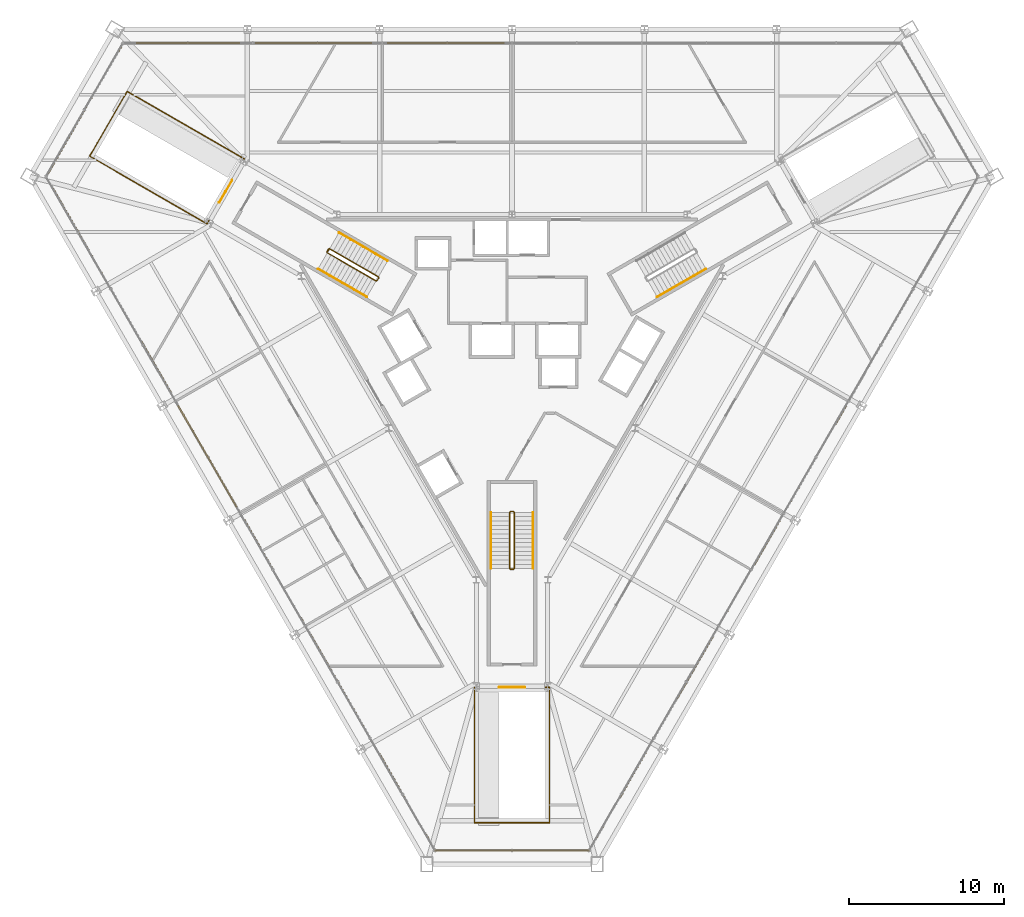
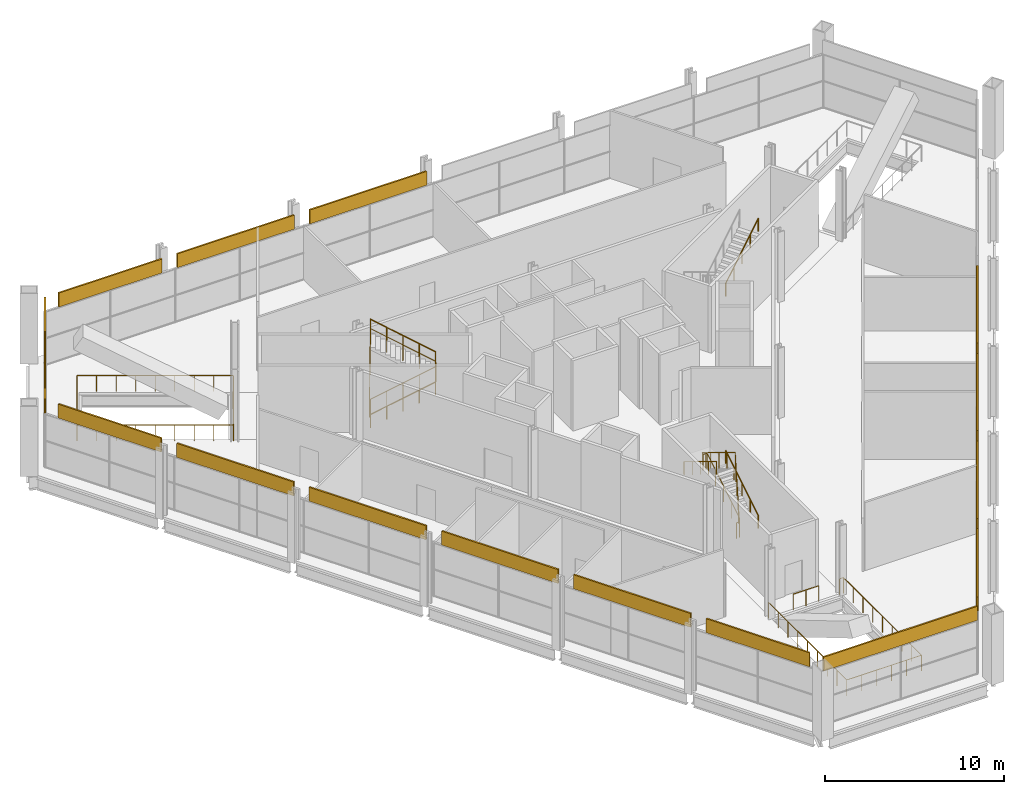
# One storey, part 16 of 18: 15 coverings, 11 railings.
"""IFC4 building model written with IfcOpenShell, lengths in metres."""

from ifc_helpers import new_model, si_unit, direction, frame, origin, origin_2d, place, context, subcontext, project, spatial, rectangle, circle, extrude, material, layer, layer_set, type_object, element, save


model = new_model("IFC4")

# Units and contexts
model_context = context("Model", 3, precision=1e-05, world=origin(), true_north=direction((0.0, 1.0)))
body_context = subcontext(model_context, "Body", "Model", "MODEL_VIEW")
ifc_project = project(units=[si_unit("LENGTHUNIT", "METRE"), si_unit("AREAUNIT", "SQUARE_METRE"), si_unit("VOLUMEUNIT", "CUBIC_METRE"), si_unit("PLANEANGLEUNIT", "RADIAN"), si_unit("MASSUNIT", "GRAM", prefix="KILO")], contexts=[model_context])

# Site, building, storey
site_placement = place(None, origin())
site = spatial("IfcSite", under=ifc_project, at=site_placement, CompositionType="ELEMENT")
building_placement = place(site_placement, origin())
building = spatial("IfcBuilding", under=site, at=building_placement, Name="Verrane Prism Tower", CompositionType="ELEMENT")
storey_placement = place(building_placement, frame((0.0, 0.0, 22.39990234375)))
storey = spatial("IfcBuildingStorey", under=building, at=storey_placement, Name="L03", CompositionType="ELEMENT", Elevation=22.39990234375)

# Coverings
ifc_material_1 = material(Name="Limestone cladding", Category="masonry")
ifc_layer = layer(ifc_material_1, 0.10009765625)
ifc_layer_set = layer_set([ifc_layer], Name="FA-100 stone fascia panel")
covering_type = type_object("IfcCoveringType", Name="FA-100 stone fascia panel", PredefinedType="CLADDING", material=ifc_layer_set)
covering_1_placement = place(storey_placement, frame((-4.280029296875, 20.27001953125, 3.68994140625), z_axis=(0.0, 0.0, 1.0), x_axis=(-1.0, 0.0, 0.0)))
element("IfcCovering", 1, at=covering_1_placement, inside=storey, type_object=covering_type, Name="Stone fascia L03 2.4", PredefinedType="CLADDING", context=body_context, shape_type="SweptSolid", body=[
    extrude(rectangle(XDim=7.56005859375, YDim=0.10009765625, at=origin_2d()), origin(), (0.0, 0.0, 1.0), 0.949951171875),
])
covering_2_placement = place(storey_placement, frame((-12.8349609375, 20.27001953125, 3.68994140625), z_axis=(0.0, 0.0, 1.0), x_axis=(-1.0, 0.0, 0.0)))
element("IfcCovering", 2, at=covering_2_placement, inside=storey, type_object=covering_type, Name="Stone fascia L03 2.5", PredefinedType="CLADDING", context=body_context, shape_type="SweptSolid", body=[
    extrude(rectangle(XDim=7.550048828125, YDim=0.10009765625, at=origin_2d()), origin(), (0.0, 0.0, 1.0), 0.949951171875),
])
covering_3_placement = place(storey_placement, frame((-20.948486328125, 20.27001953125, 3.68994140625), z_axis=(0.0, 0.0, 1.0), x_axis=(-1.0, 0.0, 0.0)))
element("IfcCovering", 3, at=covering_3_placement, inside=storey, type_object=covering_type, Name="Stone fascia L03 2.6", PredefinedType="CLADDING", context=body_context, shape_type="SweptSolid", body=[
    extrude(rectangle(XDim=6.6767578125, YDim=0.10009765625, at=origin_2d()), origin(), (0.0, 0.0, 1.0), 0.949951171875),
])
covering_4_placement = place(storey_placement, frame((-27.63818359375, 15.956787109375, 3.68994140625), z_axis=(0.0, 0.0, 1.0), x_axis=(-0.499999190728, -0.866025871017, 0.0)))
element("IfcCovering", 4, at=covering_4_placement, inside=storey, type_object=covering_type, Name="Stone fascia L03 3.1", PredefinedType="CLADDING", context=body_context, shape_type="SweptSolid", body=[
    extrude(rectangle(XDim=9.960693359375, YDim=0.10009765625, at=origin_2d()), origin(), (0.0, 0.0, 1.0), 0.949951171875),
])
covering_5_placement = place(storey_placement, frame((-28.026123046875, 8.002685546875, 3.68994140625), z_axis=(0.0, 0.0, 1.0), x_axis=(0.500000118955, -0.866025335106, 0.0)))
element("IfcCovering", 5, at=covering_5_placement, inside=storey, type_object=covering_type, Name="Stone fascia L03 4.1", PredefinedType="CLADDING", context=body_context, shape_type="SweptSolid", body=[
    extrude(rectangle(XDim=6.670654296875, YDim=0.10009765625, at=origin_2d()), origin(), (0.0, 0.0, 1.0), 0.949951171875),
])
covering_6_placement = place(storey_placement, frame((-23.96923828125, 0.975830078125, 3.68994140625), z_axis=(0.0, 0.0, 1.0), x_axis=(0.500000118955, -0.866025335106, 0.0)))
element("IfcCovering", 6, at=covering_6_placement, inside=storey, type_object=covering_type, Name="Stone fascia L03 4.2", PredefinedType="CLADDING", context=body_context, shape_type="SweptSolid", body=[
    extrude(rectangle(XDim=7.557373046875, YDim=0.10009765625, at=origin_2d()), origin(), (0.0, 0.0, 1.0), 0.949951171875),
])
covering_7_placement = place(storey_placement, frame((-19.6904296875, -6.43505859375, 3.68994140625), z_axis=(0.0, 0.0, 1.0), x_axis=(0.500000118955, -0.866025335106, 0.0)))
element("IfcCovering", 7, at=covering_7_placement, inside=storey, type_object=covering_type, Name="Stone fascia L03 4.3", PredefinedType="CLADDING", context=body_context, shape_type="SweptSolid", body=[
    extrude(rectangle(XDim=7.55712890625, YDim=0.10009765625, at=origin_2d()), origin(), (0.0, 0.0, 1.0), 0.949951171875),
])
covering_8_placement = place(storey_placement, frame((-15.415283203125, -13.83984375, 3.68994140625), z_axis=(0.0, 0.0, 1.0), x_axis=(0.500000118955, -0.866025335106, 0.0)))
element("IfcCovering", 8, at=covering_8_placement, inside=storey, type_object=covering_type, Name="Stone fascia L03 4.4", PredefinedType="CLADDING", context=body_context, shape_type="SweptSolid", body=[
    extrude(rectangle(XDim=7.543701171875, YDim=0.10009765625, at=origin_2d()), origin(), (0.0, 0.0, 1.0), 0.949951171875),
])
covering_9_placement = place(storey_placement, frame((-11.14013671875, -21.244873046875, 3.68994140625), z_axis=(0.0, 0.0, 1.0), x_axis=(0.500000118955, -0.866025335106, 0.0)))
element("IfcCovering", 9, at=covering_9_placement, inside=storey, type_object=covering_type, Name="Stone fascia L03 4.5", PredefinedType="CLADDING", context=body_context, shape_type="SweptSolid", body=[
    extrude(rectangle(XDim=7.55712890625, YDim=0.10009765625, at=origin_2d()), origin(), (0.0, 0.0, 1.0), 0.949951171875),
])
covering_10_placement = place(storey_placement, frame((-7.081787109375, -28.27392578125, 3.68994140625), z_axis=(0.0, 0.0, 1.0), x_axis=(0.500000118955, -0.866025335106, 0.0)))
element("IfcCovering", 10, at=covering_10_placement, inside=storey, type_object=covering_type, Name="Stone fascia L03 4.6", PredefinedType="CLADDING", context=body_context, shape_type="SweptSolid", body=[
    extrude(rectangle(XDim=6.67578125, YDim=0.10009765625, at=origin_2d()), origin(), (0.0, 0.0, 1.0), 0.949951171875),
])
covering_11_placement = place(storey_placement, frame((0.0, -31.913818359375, 3.68994140625), z_axis=(0.0, 0.0, 1.0), x_axis=(1.0, 0.0, 0.0)))
element("IfcCovering", 11, at=covering_11_placement, inside=storey, type_object=covering_type, Name="Stone fascia L03 5.1", PredefinedType="CLADDING", context=body_context, shape_type="SweptSolid", body=[
    extrude(rectangle(XDim=9.960693359375, YDim=0.10009765625, at=origin_2d()), origin(), (0.0, 0.0, 1.0), 0.949951171875),
])
covering_12_placement = place(storey_placement, frame((7.081787109375, -28.27392578125, 3.68994140625), z_axis=(0.0, 0.0, 1.0), x_axis=(0.500000118955, 0.866025335106, 0.0)))
element("IfcCovering", 12, at=covering_12_placement, inside=storey, type_object=covering_type, Name="Stone fascia L03 6.1", PredefinedType="CLADDING", context=body_context, shape_type="SweptSolid", body=[
    extrude(rectangle(XDim=6.67578125, YDim=0.10009765625, at=origin_2d()), origin(), (0.0, 0.0, 1.0), 0.949951171875),
])
covering_13_placement = place(storey_placement, frame((11.14013671875, -21.244873046875, 3.68994140625), z_axis=(0.0, 0.0, 1.0), x_axis=(0.500000118955, 0.866025335106, 0.0)))
element("IfcCovering", 13, at=covering_13_placement, inside=storey, type_object=covering_type, Name="Stone fascia L03 6.2", PredefinedType="CLADDING", context=body_context, shape_type="SweptSolid", body=[
    extrude(rectangle(XDim=7.55712890625, YDim=0.10009765625, at=origin_2d()), origin(), (0.0, 0.0, 1.0), 0.949951171875),
])
covering_14_placement = place(storey_placement, frame((15.415283203125, -13.83984375, 3.68994140625), z_axis=(0.0, 0.0, 1.0), x_axis=(0.500000118955, 0.866025335106, 0.0)))
element("IfcCovering", 14, at=covering_14_placement, inside=storey, type_object=covering_type, Name="Stone fascia L03 6.3", PredefinedType="CLADDING", context=body_context, shape_type="SweptSolid", body=[
    extrude(rectangle(XDim=7.543701171875, YDim=0.10009765625, at=origin_2d()), origin(), (0.0, 0.0, 1.0), 0.949951171875),
])
covering_15_placement = place(storey_placement, frame((19.6904296875, -6.43505859375, 3.68994140625), z_axis=(0.0, 0.0, 1.0), x_axis=(0.500000118955, 0.866025335106, 0.0)))
element("IfcCovering", 15, at=covering_15_placement, inside=storey, type_object=covering_type, Name="Stone fascia L03 6.4", PredefinedType="CLADDING", context=body_context, shape_type="SweptSolid", body=[
    extrude(rectangle(XDim=7.55712890625, YDim=0.10009765625, at=origin_2d()), origin(), (0.0, 0.0, 1.0), 0.949951171875),
])

# Railings
ifc_material_2 = material(Name="Stainless steel and laminated glass", Category="steel")
railing_type_1 = type_object("IfcRailingType", Name="GR-1100 glass and steel guard", PredefinedType="GUARDRAIL", material=ifc_material_2)
railing_1_placement = place(storey_placement, frame((-17.296875, 12.78076171875, 0.0)))
element("IfcRailing", 16, at=railing_1_placement, inside=storey, type_object=railing_type_1, Name="Guard EW2 L03 1", PredefinedType="GUARDRAIL", context=body_context, shape_type="SweptSolid", body=[
    extrude(circle(Radius=0.02392578125, at=origin_2d()), frame((0.0, 0.0, 1.076171875), z_axis=(-0.866029934428, 0.499992152613, 0.0), x_axis=(-0.499992152613, -0.866029934428, 0.0)), (0.0, 0.0, 1.0), 8.750244140625),
    extrude(circle(Radius=0.02392578125, at=origin_2d()), frame((-7.577880859375, 4.375, 1.076171875), z_axis=(-0.499980071345, -0.866036909293, 0.0), x_axis=(0.866036909293, -0.499980071345, 0.0)), (0.0, 0.0, 1.0), 4.840087890625),
    extrude(circle(Radius=0.02392578125, at=origin_2d()), frame((-9.997802734375, 0.183349609375, 1.076171875), z_axis=(0.866022959057, -0.500004234368, 0.0), x_axis=(0.500004234368, 0.866022959057, 0.0)), (0.0, 0.0, 1.0), 8.75),
    extrude(circle(Radius=0.02392578125, at=origin_2d()), frame((-2.420166015625, -4.191650390625, 1.076171875), z_axis=(0.499919672301, 0.866071776036, 0.0), x_axis=(-0.866071776036, 0.499919672301, 0.0)), (0.0, 0.0, 1.0), 0.25),
    extrude(circle(Radius=0.02099609375, at=origin_2d()), origin(), (0.0, 0.0, 1.0), 1.052001953125),
    extrude(circle(Radius=0.02099609375, at=origin_2d()), frame((-0.947265625, 0.546875, 0.0)), (0.0, 0.0, 1.0), 1.052001953125),
    extrude(circle(Radius=0.02099609375, at=origin_2d()), frame((-1.89453125, 1.09375, 0.0)), (0.0, 0.0, 1.0), 1.052001953125),
    extrude(circle(Radius=0.02099609375, at=origin_2d()), frame((-2.841796875, 1.640625, 0.0)), (0.0, 0.0, 1.0), 1.052001953125),
    extrude(circle(Radius=0.02099609375, at=origin_2d()), frame((-3.7890625, 2.1875, 0.0)), (0.0, 0.0, 1.0), 1.052001953125),
    extrude(circle(Radius=0.02099609375, at=origin_2d()), frame((-4.736083984375, 2.734375, 0.0)), (0.0, 0.0, 1.0), 1.052001953125),
    extrude(circle(Radius=0.02099609375, at=origin_2d()), frame((-5.683349609375, 3.28125, 0.0)), (0.0, 0.0, 1.0), 1.052001953125),
    extrude(circle(Radius=0.02099609375, at=origin_2d()), frame((-6.630615234375, 3.828125, 0.0)), (0.0, 0.0, 1.0), 1.052001953125),
    extrude(circle(Radius=0.02099609375, at=origin_2d()), frame((-7.577880859375, 4.375, 0.0)), (0.0, 0.0, 1.0), 1.052001953125),
    extrude(circle(Radius=0.02099609375, at=origin_2d()), frame((-8.061767578125, 3.53662109375, 0.0)), (0.0, 0.0, 1.0), 1.052001953125),
    extrude(circle(Radius=0.02099609375, at=origin_2d()), frame((-8.5458984375, 2.6982421875, 0.0)), (0.0, 0.0, 1.0), 1.052001953125),
    extrude(circle(Radius=0.02099609375, at=origin_2d()), frame((-9.02978515625, 1.860107421875, 0.0)), (0.0, 0.0, 1.0), 1.052001953125),
    extrude(circle(Radius=0.02099609375, at=origin_2d()), frame((-9.513916015625, 1.021728515625, 0.0)), (0.0, 0.0, 1.0), 1.052001953125),
    extrude(circle(Radius=0.02099609375, at=origin_2d()), frame((-9.997802734375, 0.183349609375, 0.0)), (0.0, 0.0, 1.0), 1.052001953125),
    extrude(circle(Radius=0.02099609375, at=origin_2d()), frame((-9.050537109375, -0.363525390625, 0.0)), (0.0, 0.0, 1.0), 1.052001953125),
    extrude(circle(Radius=0.02099609375, at=origin_2d()), frame((-8.103515625, -0.910400390625, 0.0)), (0.0, 0.0, 1.0), 1.052001953125),
    extrude(circle(Radius=0.02099609375, at=origin_2d()), frame((-7.15625, -1.457275390625, 0.0)), (0.0, 0.0, 1.0), 1.052001953125),
    extrude(circle(Radius=0.02099609375, at=origin_2d()), frame((-6.208984375, -2.004150390625, 0.0)), (0.0, 0.0, 1.0), 1.052001953125),
    extrude(circle(Radius=0.02099609375, at=origin_2d()), frame((-5.26171875, -2.551025390625, 0.0)), (0.0, 0.0, 1.0), 1.052001953125),
    extrude(circle(Radius=0.02099609375, at=origin_2d()), frame((-4.314453125, -3.097900390625, 0.0)), (0.0, 0.0, 1.0), 1.052001953125),
    extrude(circle(Radius=0.02099609375, at=origin_2d()), frame((-3.367431640625, -3.644775390625, 0.0)), (0.0, 0.0, 1.0), 1.052001953125),
    extrude(circle(Radius=0.02099609375, at=origin_2d()), frame((-2.420166015625, -4.191650390625, 0.0)), (0.0, 0.0, 1.0), 1.052001953125),
    extrude(circle(Radius=0.02099609375, at=origin_2d()), frame((-2.295166015625, -3.97509765625, 0.0)), (0.0, 0.0, 1.0), 1.052001953125),
])
railing_2_placement = place(storey_placement, frame((-18.921875, 9.96630859375, 0.0)))
element("IfcRailing", 17, at=railing_2_placement, inside=storey, type_object=railing_type_1, Name="Guard EW2 L03 2", PredefinedType="GUARDRAIL", context=body_context, shape_type="SweptSolid", body=[
    extrude(circle(Radius=0.02392578125, at=origin_2d()), frame((0.0, 0.0, 1.076171875), z_axis=(0.499951638388, 0.866053323574, 0.0), x_axis=(-0.866053323574, 0.499951638388, 0.0)), (0.0, 0.0, 1.0), 1.659912109375),
    extrude(circle(Radius=0.02099609375, at=origin_2d()), origin(), (0.0, 0.0, 1.0), 1.052001953125),
    extrude(circle(Radius=0.02099609375, at=origin_2d()), frame((0.4150390625, 0.71875, 0.0)), (0.0, 0.0, 1.0), 1.052001953125),
    extrude(circle(Radius=0.02099609375, at=origin_2d()), frame((0.829833984375, 1.4375, 0.0)), (0.0, 0.0, 1.0), 1.052001953125),
])
railing_3_placement = place(storey_placement, frame((-2.419921875, -21.3701171875, 0.0)))
element("IfcRailing", 18, at=railing_3_placement, inside=storey, type_object=railing_type_1, Name="Guard EW3 L03 1", PredefinedType="GUARDRAIL", context=body_context, shape_type="SweptSolid", body=[
    extrude(circle(Radius=0.02392578125, at=origin_2d()), frame((0.0, 0.0, 1.076171875), z_axis=(0.0, -1.0, 0.0), x_axis=(1.0, 0.0, 0.0)), (0.0, 0.0, 1.0), 8.75),
    extrude(circle(Radius=0.02392578125, at=origin_2d()), frame((0.0, -8.75, 1.076171875), z_axis=(1.0, 0.0, 0.0), x_axis=(0.0, 1.0, 0.0)), (0.0, 0.0, 1.0), 4.83984375),
    extrude(circle(Radius=0.02392578125, at=origin_2d()), frame((4.83984375, -8.75, 1.076171875), z_axis=(0.0, 1.0, 0.0), x_axis=(-1.0, 0.0, 0.0)), (0.0, 0.0, 1.0), 8.75),
    extrude(circle(Radius=0.02392578125, at=origin_2d()), frame((4.83984375, 0.0, 1.076171875), z_axis=(-1.0, 0.0, 0.0), x_axis=(0.0, -1.0, 0.0)), (0.0, 0.0, 1.0), 0.25),
    extrude(circle(Radius=0.02099609375, at=origin_2d()), origin(), (0.0, 0.0, 1.0), 1.052001953125),
    extrude(circle(Radius=0.02099609375, at=origin_2d()), frame((0.0, -1.09375, 0.0)), (0.0, 0.0, 1.0), 1.052001953125),
    extrude(circle(Radius=0.02099609375, at=origin_2d()), frame((0.0, -2.1875, 0.0)), (0.0, 0.0, 1.0), 1.052001953125),
    extrude(circle(Radius=0.02099609375, at=origin_2d()), frame((0.0, -3.28125, 0.0)), (0.0, 0.0, 1.0), 1.052001953125),
    extrude(circle(Radius=0.02099609375, at=origin_2d()), frame((0.0, -4.375, 0.0)), (0.0, 0.0, 1.0), 1.052001953125),
    extrude(circle(Radius=0.02099609375, at=origin_2d()), frame((0.0, -5.46875, 0.0)), (0.0, 0.0, 1.0), 1.052001953125),
    extrude(circle(Radius=0.02099609375, at=origin_2d()), frame((0.0, -6.5625, 0.0)), (0.0, 0.0, 1.0), 1.052001953125),
    extrude(circle(Radius=0.02099609375, at=origin_2d()), frame((0.0, -7.65625, 0.0)), (0.0, 0.0, 1.0), 1.052001953125),
    extrude(circle(Radius=0.02099609375, at=origin_2d()), frame((0.0, -8.75, 0.0)), (0.0, 0.0, 1.0), 1.052001953125),
    extrude(circle(Radius=0.02099609375, at=origin_2d()), frame((0.968017578125, -8.75, 0.0)), (0.0, 0.0, 1.0), 1.052001953125),
    extrude(circle(Radius=0.02099609375, at=origin_2d()), frame((1.93603515625, -8.75, 0.0)), (0.0, 0.0, 1.0), 1.052001953125),
    extrude(circle(Radius=0.02099609375, at=origin_2d()), frame((2.90380859375, -8.75, 0.0)), (0.0, 0.0, 1.0), 1.052001953125),
    extrude(circle(Radius=0.02099609375, at=origin_2d()), frame((3.871826171875, -8.75, 0.0)), (0.0, 0.0, 1.0), 1.052001953125),
    extrude(circle(Radius=0.02099609375, at=origin_2d()), frame((4.83984375, -8.75, 0.0)), (0.0, 0.0, 1.0), 1.052001953125),
    extrude(circle(Radius=0.02099609375, at=origin_2d()), frame((4.83984375, -7.65625, 0.0)), (0.0, 0.0, 1.0), 1.052001953125),
    extrude(circle(Radius=0.02099609375, at=origin_2d()), frame((4.83984375, -6.5625, 0.0)), (0.0, 0.0, 1.0), 1.052001953125),
    extrude(circle(Radius=0.02099609375, at=origin_2d()), frame((4.83984375, -5.46875, 0.0)), (0.0, 0.0, 1.0), 1.052001953125),
    extrude(circle(Radius=0.02099609375, at=origin_2d()), frame((4.83984375, -4.375, 0.0)), (0.0, 0.0, 1.0), 1.052001953125),
    extrude(circle(Radius=0.02099609375, at=origin_2d()), frame((4.83984375, -3.28125, 0.0)), (0.0, 0.0, 1.0), 1.052001953125),
    extrude(circle(Radius=0.02099609375, at=origin_2d()), frame((4.83984375, -2.1875, 0.0)), (0.0, 0.0, 1.0), 1.052001953125),
    extrude(circle(Radius=0.02099609375, at=origin_2d()), frame((4.83984375, -1.09375, 0.0)), (0.0, 0.0, 1.0), 1.052001953125),
    extrude(circle(Radius=0.02099609375, at=origin_2d()), frame((4.83984375, 0.0, 0.0)), (0.0, 0.0, 1.0), 1.052001953125),
    extrude(circle(Radius=0.02099609375, at=origin_2d()), frame((4.58984375, 0.0, 0.0)), (0.0, 0.0, 1.0), 1.052001953125),
])
railing_4_placement = place(storey_placement, frame((0.830078125, -21.3701171875, 0.0)))
element("IfcRailing", 19, at=railing_4_placement, inside=storey, type_object=railing_type_1, Name="Guard EW3 L03 2", PredefinedType="GUARDRAIL", context=body_context, shape_type="SweptSolid", body=[
    extrude(circle(Radius=0.02392578125, at=origin_2d()), frame((0.0, 0.0, 1.076171875), z_axis=(-1.0, 0.0, 0.0), x_axis=(0.0, -1.0, 0.0)), (0.0, 0.0, 1.0), 1.66015625),
    extrude(circle(Radius=0.02099609375, at=origin_2d()), origin(), (0.0, 0.0, 1.0), 1.052001953125),
    extrude(circle(Radius=0.02099609375, at=origin_2d()), frame((-0.830078125, 0.0, 0.0)), (0.0, 0.0, 1.0), 1.052001953125),
    extrude(circle(Radius=0.02099609375, at=origin_2d()), frame((-1.66015625, 0.0, 0.0)), (0.0, 0.0, 1.0), 1.052001953125),
])
ifc_material_3 = material(Name="Steel A36 rail and posts, no infill", Category="steel")
railing_type_2 = type_object("IfcRailingType", Name="Stair guard 1100 steel rail and posts", PredefinedType="GUARDRAIL", material=ifc_material_3)
railing_5_placement = place(storey_placement, frame((-11.939453125, 6.72021484375, 0.171630859375)))
element("IfcRailing", 20, at=railing_5_placement, inside=storey, type_object=railing_type_2, Name="Stair 2 guard", PredefinedType="GUARDRAIL", context=body_context, shape_type="SweptSolid", body=[
    extrude(circle(Radius=0.02392578125, at=origin_2d()), frame((0.0, 0.0, 1.076171875), z_axis=(0.738592093898, -0.426440834883, 0.522139764025), x_axis=(0.500012742938, 0.866018046521, 0.0)), (0.0, 0.0, 1.0), 4.26806640625),
    extrude(circle(Radius=0.02392578125, at=origin_2d()), frame((3.15234375, -1.820068359375, 3.3046875), z_axis=(0.965715946433, 0.259601060869, 0.0), x_axis=(-0.259601060869, 0.965715946433, 0.0)), (0.0, 0.0, 1.0), 0.070556640625),
    extrude(circle(Radius=0.02392578125, at=origin_2d()), frame((3.220458984375, -1.8017578125, 3.3046875), z_axis=(0.500603037456, 0.865676959893, 0.0), x_axis=(-0.865676959893, 0.500603037456, 0.0)), (0.0, 0.0, 1.0), 0.199951171875),
    extrude(circle(Radius=0.02392578125, at=origin_2d()), frame((3.320556640625, -1.628662109375, 3.3046875), z_axis=(-0.098750140047, 0.368667189509, 0.92430131084), x_axis=(-0.965948051503, -0.258736085224, 0.0)), (0.0, 0.0, 1.0), 0.185302734375),
    extrude(circle(Radius=0.02392578125, at=origin_2d()), frame((3.30224609375, -1.560302734375, 3.47607421875), z_axis=(-0.738592093898, 0.426440834883, 0.522139764025), x_axis=(-0.500012742938, -0.866018046521, 0.0)), (0.0, 0.0, 1.0), 4.26806640625),
    extrude(circle(Radius=0.02392578125, at=origin_2d()), frame((0.14990234375, 0.259765625, 5.70458984375), z_axis=(-0.034994649086, -0.039870536332, -0.998591866013), x_axis=(0.751567565678, -0.659656118156, 0.0)), (0.0, 0.0, 1.0), 4.806884765625),
    extrude(circle(Radius=0.02392578125, at=origin_2d()), frame((-0.018310546875, 0.068115234375, 0.904296875), z_axis=(0.499158860599, 0.866510491504, 0.0), x_axis=(-0.866510491504, 0.499158860599, 0.0)), (0.0, 0.0, 1.0), 0.199951171875),
    extrude(circle(Radius=0.02099609375, at=origin_2d()), origin(), (0.0, 0.0, 1.0), 1.052001953125),
    extrude(circle(Radius=0.02099609375, at=origin_2d()), frame((0.7880859375, -0.455078125, 0.55712890625)), (0.0, 0.0, 1.0), 1.052001953125),
    extrude(circle(Radius=0.02099609375, at=origin_2d()), frame((1.576171875, -0.91015625, 1.1142578125)), (0.0, 0.0, 1.0), 1.052001953125),
    extrude(circle(Radius=0.02099609375, at=origin_2d()), frame((2.3642578125, -1.364990234375, 1.67138671875)), (0.0, 0.0, 1.0), 1.052001953125),
    extrude(circle(Radius=0.02099609375, at=origin_2d()), frame((3.15234375, -1.820068359375, 2.228515625)), (0.0, 0.0, 1.0), 1.052001953125),
    extrude(circle(Radius=0.02099609375, at=origin_2d()), frame((3.220458984375, -1.8017578125, 2.228515625)), (0.0, 0.0, 1.0), 1.052001953125),
    extrude(circle(Radius=0.02099609375, at=origin_2d()), frame((3.320556640625, -1.628662109375, 2.228515625)), (0.0, 0.0, 1.0), 1.052001953125),
    extrude(circle(Radius=0.02099609375, at=origin_2d()), frame((3.30224609375, -1.560302734375, 2.39990234375)), (0.0, 0.0, 1.0), 1.052001953125),
    extrude(circle(Radius=0.02099609375, at=origin_2d()), frame((2.51416015625, -1.105224609375, 2.95703125)), (0.0, 0.0, 1.0), 1.052001953125),
    extrude(circle(Radius=0.02099609375, at=origin_2d()), frame((1.72607421875, -0.650390625, 3.51416015625)), (0.0, 0.0, 1.0), 1.052001953125),
    extrude(circle(Radius=0.02099609375, at=origin_2d()), frame((0.93798828125, -0.1953125, 4.0712890625)), (0.0, 0.0, 1.0), 1.052001953125),
    extrude(circle(Radius=0.02099609375, at=origin_2d()), frame((0.14990234375, 0.259765625, 4.62841796875)), (0.0, 0.0, 1.0), 1.052001953125),
    extrude(circle(Radius=0.02099609375, at=origin_2d()), frame((0.1162109375, 0.221435546875, 3.66845703125)), (0.0, 0.0, 1.0), 1.052001953125),
    extrude(circle(Radius=0.02099609375, at=origin_2d()), frame((0.08251953125, 0.18310546875, 2.70849609375)), (0.0, 0.0, 1.0), 1.052001953125),
    extrude(circle(Radius=0.02099609375, at=origin_2d()), frame((0.049072265625, 0.144775390625, 1.748291015625)), (0.0, 0.0, 1.0), 1.052001953125),
    extrude(circle(Radius=0.02099609375, at=origin_2d()), frame((0.015380859375, 0.1064453125, 0.788330078125)), (0.0, 0.0, 1.0), 1.052001953125),
    extrude(circle(Radius=0.02099609375, at=origin_2d()), frame((-0.018310546875, 0.068115234375, -0.171630859375)), (0.0, 0.0, 1.0), 1.052001953125),
    extrude(circle(Radius=0.02099609375, at=origin_2d()), frame((0.08154296875, 0.241455078125, -0.171630859375)), (0.0, 0.0, 1.0), 1.052001953125),
])
railing_6_placement = place(storey_placement, frame((0.14990234375, -13.699951171875, 0.171630859375)))
element("IfcRailing", 21, at=railing_6_placement, inside=storey, type_object=railing_type_2, Name="Stair 3 guard", PredefinedType="GUARDRAIL", context=body_context, shape_type="SweptSolid", body=[
    extrude(circle(Radius=0.02392578125, at=origin_2d()), frame((0.0, 0.0, 1.076171875), z_axis=(0.0, 0.852850264322, 0.5221555579), x_axis=(-1.0, 0.0, 0.0)), (0.0, 0.0, 1.0), 4.267822265625),
    extrude(circle(Radius=0.02392578125, at=origin_2d()), frame((0.0, 3.639892578125, 3.3046875), z_axis=(-0.705375805398, 0.708833529934, 0.0), x_axis=(-0.708833529934, -0.705375805398, 0.0)), (0.0, 0.0, 1.0), 0.070556640625),
    extrude(circle(Radius=0.02392578125, at=origin_2d()), frame((-0.0498046875, 3.68994140625, 3.3046875), z_axis=(-1.0, 0.0, 0.0), x_axis=(0.0, -1.0, 0.0)), (0.0, 0.0, 1.0), 0.2001953125),
    extrude(circle(Radius=0.02392578125, at=origin_2d()), frame((-0.25, 3.68994140625, 3.3046875), z_axis=(-0.268689830376, -0.270006937388, 0.924609122178), x_axis=(0.708833529934, -0.705375805398, 0.0)), (0.0, 0.0, 1.0), 0.185302734375),
    extrude(circle(Radius=0.02392578125, at=origin_2d()), frame((-0.2998046875, 3.639892578125, 3.47607421875), z_axis=(0.0, -0.852850264322, 0.5221555579), x_axis=(1.0, 0.0, 0.0)), (0.0, 0.0, 1.0), 4.267822265625),
    extrude(circle(Radius=0.02392578125, at=origin_2d()), frame((-0.2998046875, 0.0, 5.70458984375), z_axis=(0.052009487098, -0.010412055523, -0.998592310381), x_axis=(0.196300278283, 0.98054382908, 0.0)), (0.0, 0.0, 1.0), 4.806884765625),
    extrude(circle(Radius=0.02392578125, at=origin_2d()), frame((-0.0498046875, -0.050048828125, 0.904296875), z_axis=(-1.0, 0.0, 0.0), x_axis=(0.0, -1.0, 0.0)), (0.0, 0.0, 1.0), 0.2001953125),
    extrude(circle(Radius=0.02099609375, at=origin_2d()), origin(), (0.0, 0.0, 1.0), 1.052001953125),
    extrude(circle(Radius=0.02099609375, at=origin_2d()), frame((0.0, 0.909912109375, 0.55712890625)), (0.0, 0.0, 1.0), 1.052001953125),
    extrude(circle(Radius=0.02099609375, at=origin_2d()), frame((0.0, 1.81982421875, 1.1142578125)), (0.0, 0.0, 1.0), 1.052001953125),
    extrude(circle(Radius=0.02099609375, at=origin_2d()), frame((0.0, 2.72998046875, 1.67138671875)), (0.0, 0.0, 1.0), 1.052001953125),
    extrude(circle(Radius=0.02099609375, at=origin_2d()), frame((0.0, 3.639892578125, 2.228515625)), (0.0, 0.0, 1.0), 1.052001953125),
    extrude(circle(Radius=0.02099609375, at=origin_2d()), frame((-0.0498046875, 3.68994140625, 2.228515625)), (0.0, 0.0, 1.0), 1.052001953125),
    extrude(circle(Radius=0.02099609375, at=origin_2d()), frame((-0.25, 3.68994140625, 2.228515625)), (0.0, 0.0, 1.0), 1.052001953125),
    extrude(circle(Radius=0.02099609375, at=origin_2d()), frame((-0.2998046875, 3.639892578125, 2.39990234375)), (0.0, 0.0, 1.0), 1.052001953125),
    extrude(circle(Radius=0.02099609375, at=origin_2d()), frame((-0.2998046875, 2.72998046875, 2.95703125)), (0.0, 0.0, 1.0), 1.052001953125),
    extrude(circle(Radius=0.02099609375, at=origin_2d()), frame((-0.2998046875, 1.81982421875, 3.51416015625)), (0.0, 0.0, 1.0), 1.052001953125),
    extrude(circle(Radius=0.02099609375, at=origin_2d()), frame((-0.2998046875, 0.909912109375, 4.0712890625)), (0.0, 0.0, 1.0), 1.052001953125),
    extrude(circle(Radius=0.02099609375, at=origin_2d()), frame((-0.2998046875, 0.0, 4.62841796875)), (0.0, 0.0, 1.0), 1.052001953125),
    extrude(circle(Radius=0.02099609375, at=origin_2d()), frame((-0.249755859375, -0.010009765625, 3.66845703125)), (0.0, 0.0, 1.0), 1.052001953125),
    extrude(circle(Radius=0.02099609375, at=origin_2d()), frame((-0.19970703125, -0.02001953125, 2.70849609375)), (0.0, 0.0, 1.0), 1.052001953125),
    extrude(circle(Radius=0.02099609375, at=origin_2d()), frame((-0.14990234375, -0.030029296875, 1.748291015625)), (0.0, 0.0, 1.0), 1.052001953125),
    extrude(circle(Radius=0.02099609375, at=origin_2d()), frame((-0.099853515625, -0.0400390625, 0.788330078125)), (0.0, 0.0, 1.0), 1.052001953125),
    extrude(circle(Radius=0.02099609375, at=origin_2d()), frame((-0.0498046875, -0.050048828125, -0.171630859375)), (0.0, 0.0, 1.0), 1.052001953125),
    extrude(circle(Radius=0.02099609375, at=origin_2d()), frame((-0.25, -0.050048828125, -0.171630859375)), (0.0, 0.0, 1.0), 1.052001953125),
])
ifc_material_4 = material(Name="Steel A36 tube", Category="steel")
railing_type_3 = type_object("IfcRailingType", Name="Stair handrail 900 steel tube", PredefinedType="HANDRAIL", material=ifc_material_4)
railing_7_placement = place(storey_placement, frame((9.38720703125, 3.86083984375, 2.571533203125)))
element("IfcRailing", 22, at=railing_7_placement, inside=storey, type_object=railing_type_3, Name="Stair 1 handrail", PredefinedType="HANDRAIL", context=body_context, shape_type="SweptSolid", body=[
    extrude(circle(Radius=0.02392578125, at=origin_2d()), frame((0.0, 0.0, 0.8759765625), z_axis=(0.738592093898, 0.426440834883, 0.522139764025), x_axis=(-0.500012742938, 0.866018046521, 0.0)), (0.0, 0.0, 1.0), 4.26806640625),
    extrude(circle(Radius=0.02099609375, at=origin_2d()), origin(), (0.0, 0.0, 1.0), 0.851806640625),
    extrude(circle(Radius=0.02099609375, at=origin_2d()), frame((0.7880859375, 0.455078125, 0.55712890625)), (0.0, 0.0, 1.0), 0.851806640625),
    extrude(circle(Radius=0.02099609375, at=origin_2d()), frame((1.576171875, 0.91015625, 1.1142578125)), (0.0, 0.0, 1.0), 0.851806640625),
    extrude(circle(Radius=0.02099609375, at=origin_2d()), frame((2.3642578125, 1.364990234375, 1.67138671875)), (0.0, 0.0, 1.0), 0.851806640625),
    extrude(circle(Radius=0.02099609375, at=origin_2d()), frame((3.15234375, 1.820068359375, 2.228515625)), (0.0, 0.0, 1.0), 0.851806640625),
])
railing_8_placement = place(storey_placement, frame((-12.53955078125, 5.680908203125, 0.171630859375)))
element("IfcRailing", 23, at=railing_8_placement, inside=storey, type_object=railing_type_3, Name="Stair 2 handrail", PredefinedType="HANDRAIL", context=body_context, shape_type="SweptSolid", body=[
    extrude(circle(Radius=0.02392578125, at=origin_2d()), frame((0.0, 0.0, 0.8759765625), z_axis=(0.738592093898, -0.426440834883, 0.522139764025), x_axis=(0.500012742938, 0.866018046521, 0.0)), (0.0, 0.0, 1.0), 4.26806640625),
    extrude(circle(Radius=0.02099609375, at=origin_2d()), origin(), (0.0, 0.0, 1.0), 0.851806640625),
    extrude(circle(Radius=0.02099609375, at=origin_2d()), frame((0.7880859375, -0.455078125, 0.55712890625)), (0.0, 0.0, 1.0), 0.851806640625),
    extrude(circle(Radius=0.02099609375, at=origin_2d()), frame((1.576171875, -0.91015625, 1.1142578125)), (0.0, 0.0, 1.0), 0.851806640625),
    extrude(circle(Radius=0.02099609375, at=origin_2d()), frame((2.3642578125, -1.364990234375, 1.67138671875)), (0.0, 0.0, 1.0), 0.851806640625),
    extrude(circle(Radius=0.02099609375, at=origin_2d()), frame((3.15234375, -1.820068359375, 2.228515625)), (0.0, 0.0, 1.0), 0.851806640625),
])
railing_9_placement = place(storey_placement, frame((-8.037109375, 6.19921875, 2.571533203125)))
element("IfcRailing", 24, at=railing_9_placement, inside=storey, type_object=railing_type_3, Name="Stair 2 handrail", PredefinedType="HANDRAIL", context=body_context, shape_type="SweptSolid", body=[
    extrude(circle(Radius=0.02392578125, at=origin_2d()), frame((0.0, 0.0, 0.8759765625), z_axis=(-0.738610110021, 0.426394033464, 0.52215250033), x_axis=(-0.499962438169, -0.866047089031, 0.0)), (0.0, 0.0, 1.0), 4.267822265625),
    extrude(circle(Radius=0.02099609375, at=origin_2d()), origin(), (0.0, 0.0, 1.0), 0.851806640625),
    extrude(circle(Radius=0.02099609375, at=origin_2d()), frame((-0.7880859375, 0.455078125, 0.55712890625)), (0.0, 0.0, 1.0), 0.851806640625),
    extrude(circle(Radius=0.02099609375, at=origin_2d()), frame((-1.576171875, 0.909912109375, 1.1142578125)), (0.0, 0.0, 1.0), 0.851806640625),
    extrude(circle(Radius=0.02099609375, at=origin_2d()), frame((-2.3642578125, 1.36474609375, 1.67138671875)), (0.0, 0.0, 1.0), 0.851806640625),
    extrude(circle(Radius=0.02099609375, at=origin_2d()), frame((-3.15234375, 1.81982421875, 2.228515625)), (0.0, 0.0, 1.0), 0.851806640625),
])
railing_10_placement = place(storey_placement, frame((1.35009765625, -13.699951171875, 0.171630859375)))
element("IfcRailing", 25, at=railing_10_placement, inside=storey, type_object=railing_type_3, Name="Stair 3 handrail", PredefinedType="HANDRAIL", context=body_context, shape_type="SweptSolid", body=[
    extrude(circle(Radius=0.02392578125, at=origin_2d()), frame((0.0, 0.0, 0.8759765625), z_axis=(0.0, 0.852850264322, 0.5221555579), x_axis=(-1.0, 0.0, 0.0)), (0.0, 0.0, 1.0), 4.267822265625),
    extrude(circle(Radius=0.02099609375, at=origin_2d()), origin(), (0.0, 0.0, 1.0), 0.851806640625),
    extrude(circle(Radius=0.02099609375, at=origin_2d()), frame((0.0, 0.909912109375, 0.55712890625)), (0.0, 0.0, 1.0), 0.851806640625),
    extrude(circle(Radius=0.02099609375, at=origin_2d()), frame((0.0, 1.81982421875, 1.1142578125)), (0.0, 0.0, 1.0), 0.851806640625),
    extrude(circle(Radius=0.02099609375, at=origin_2d()), frame((0.0, 2.72998046875, 1.67138671875)), (0.0, 0.0, 1.0), 0.851806640625),
    extrude(circle(Radius=0.02099609375, at=origin_2d()), frame((0.0, 3.639892578125, 2.228515625)), (0.0, 0.0, 1.0), 0.851806640625),
])
railing_11_placement = place(storey_placement, frame((-1.35009765625, -10.06005859375, 2.571533203125)))
element("IfcRailing", 26, at=railing_11_placement, inside=storey, type_object=railing_type_3, Name="Stair 3 handrail", PredefinedType="HANDRAIL", context=body_context, shape_type="SweptSolid", body=[
    extrude(circle(Radius=0.02392578125, at=origin_2d()), frame((0.0, 0.0, 0.8759765625), z_axis=(0.0, -0.852850264322, 0.5221555579), x_axis=(1.0, 0.0, 0.0)), (0.0, 0.0, 1.0), 4.267822265625),
    extrude(circle(Radius=0.02099609375, at=origin_2d()), origin(), (0.0, 0.0, 1.0), 0.851806640625),
    extrude(circle(Radius=0.02099609375, at=origin_2d()), frame((0.0, -0.909912109375, 0.55712890625)), (0.0, 0.0, 1.0), 0.851806640625),
    extrude(circle(Radius=0.02099609375, at=origin_2d()), frame((0.0, -1.81982421875, 1.1142578125)), (0.0, 0.0, 1.0), 0.851806640625),
    extrude(circle(Radius=0.02099609375, at=origin_2d()), frame((0.0, -2.72998046875, 1.67138671875)), (0.0, 0.0, 1.0), 0.851806640625),
    extrude(circle(Radius=0.02099609375, at=origin_2d()), frame((0.0, -3.639892578125, 2.228515625)), (0.0, 0.0, 1.0), 0.851806640625),
])

save(model, "model.ifc")
